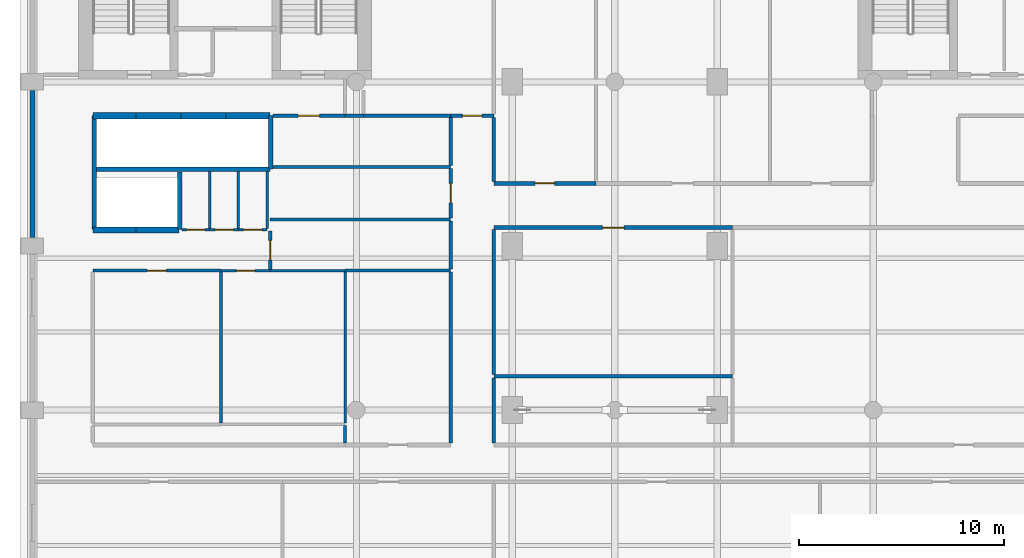
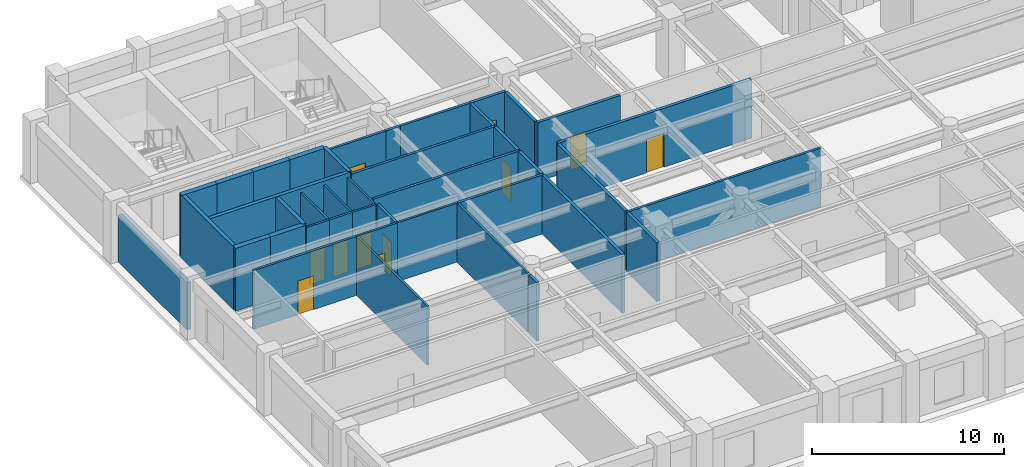
# One storey, part 5 of 10: 41 walls, 11 doors, 11 openings.
"""IFC4 building model written with IfcOpenShell, lengths in metres."""

import ifcopenshell
import ifcopenshell.guid

model = None  # the IFC model being written
_history = None  # IfcOwnerHistory: only IFC2X3 demands one
_inside = {}  # id of a spatial element -> (the spatial element, [elements in it])
_under = {}  # id of a project, library or spatial element -> (it, [spatial elements below it])
_declared = {}  # id of a project -> (the project, [libraries it declares])
_typed = {}  # id of a type object -> (the type object, [elements of that type])
_made_of = {}  # id of a material, layer set ... -> (it, [elements and type objects made of it])


def new_model(schema):
    """Start an empty IFC model of exactly this schema.

    Asked for "IFC4X3", IfcOpenShell would pick the latest addendum, in which some entities
    have other attributes; the version numbers below select the first issue.
    IFC2X3 requires an IfcOwnerHistory on every rooted entity: one is made here for all.
    """
    global model, _history
    if schema == "IFC4X3":
        model = ifcopenshell.file(schema_version=(4, 3, 0, 0))
    else:
        model = ifcopenshell.file(schema=schema)
    _inside.clear()
    _under.clear()
    _declared.clear()
    _typed.clear()
    _made_of.clear()
    _history = None
    if model.schema == "IFC2X3":
        org = make("IfcOrganization", Name="unknown")
        user = make(
            "IfcPersonAndOrganization",
            ThePerson=make("IfcPerson", FamilyName="unknown"),
            TheOrganization=org,
        )
        app = make(
            "IfcApplication",
            ApplicationDeveloper=org,
            Version="unknown",
            ApplicationFullName="unknown",
            ApplicationIdentifier="unknown",
        )
        _history = make(
            "IfcOwnerHistory",
            OwningUser=user,
            OwningApplication=app,
            ChangeAction="ADDED",
            CreationDate=0,
        )
    return model


def make(cls, **values):
    """One entity of the class cls with the attributes given. An attribute that is None is left unset."""
    return model.create_entity(
        cls, **{name: value for name, value in values.items() if value is not None}
    )


def rooted(cls, **values):
    """An entity with a GlobalId (a new one), such as an element, a storey or a relation."""
    return make(cls, GlobalId=ifcopenshell.guid.new(), OwnerHistory=_history, **values)


def si_unit(unit_type, name, prefix=None):
    """IfcSIUnit, for example si_unit("LENGTHUNIT", "METRE", prefix="MILLI")."""
    return make("IfcSIUnit", UnitType=unit_type, Prefix=prefix, Name=name)


def assignment(units):
    """IfcUnitAssignment: the units of a project."""
    return None if units is None else make("IfcUnitAssignment", Units=units)


def point(xyz):
    """IfcCartesianPoint."""
    return None if xyz is None else make("IfcCartesianPoint", Coordinates=xyz)


def direction(xyz):
    """IfcDirection."""
    return None if xyz is None else make("IfcDirection", DirectionRatios=xyz)


def frame(location, z_axis=None, x_axis=None):
    """IfcAxis2Placement3D, a coordinate frame: its origin and axes. An axis left out is left unset."""
    return make(
        "IfcAxis2Placement3D",
        Location=point(location),
        Axis=direction(z_axis),
        RefDirection=direction(x_axis),
    )


def frame_2d(location, x_axis=None):
    """IfcAxis2Placement2D, a coordinate frame in the plane: its origin and x axis."""
    return make(
        "IfcAxis2Placement2D", Location=point(location), RefDirection=direction(x_axis)
    )


def origin():
    """The frame at (0, 0, 0) with its axes left unset."""
    return frame((0.0, 0.0, 0.0))


def place(relative_to, where):
    """IfcLocalPlacement: puts the frame where relative to a parent placement (None: the world)."""
    return make(
        "IfcLocalPlacement", PlacementRelTo=relative_to, RelativePlacement=where
    )


def context(
    kind, dimensions, precision=None, world=None, true_north=None, identifier=None
):
    """IfcGeometricRepresentationContext, for example the 3D "Model" context."""
    return make(
        "IfcGeometricRepresentationContext",
        ContextIdentifier=identifier,
        ContextType=kind,
        CoordinateSpaceDimension=dimensions,
        Precision=precision,
        WorldCoordinateSystem=world,
        TrueNorth=true_north,
    )


def subcontext(parent, identifier, kind, view, scale=None):
    """IfcGeometricRepresentationSubContext, for example "Body" below "Model"."""
    return make(
        "IfcGeometricRepresentationSubContext",
        ContextIdentifier=identifier,
        ContextType=kind,
        ParentContext=parent,
        TargetScale=scale,
        TargetView=view,
    )


def project(units=None, contexts=None):
    """IfcProject with its units and contexts."""
    return rooted(
        "IfcProject",
        Name="project",
        RepresentationContexts=contexts,
        UnitsInContext=assignment(units),
    )


def spatial(cls, under=None, at=None, **own):
    """A site, building, storey or space (cls), placed at a placement, below another one or the project."""
    s = rooted(cls, ObjectPlacement=at, **own)
    if under is not None:
        _under.setdefault(under.id(), (under, []))[1].append(s)
    return s


def profile(cls, at=None, kind="AREA", **sizes):
    """A parametric profile (cls). Its sizes go by their IFC names, for example OverallWidth=200.0."""
    return make(cls, ProfileType=kind, Position=at, **sizes)


def rectangle(**sizes):
    """IfcRectangleProfileDef."""
    return profile("IfcRectangleProfileDef", **sizes)


def extrude(swept, where, along, depth):
    """IfcExtrudedAreaSolid: the profile swept, set in the frame where, extruded along a direction by depth."""
    return make(
        "IfcExtrudedAreaSolid",
        SweptArea=swept,
        Position=where,
        ExtrudedDirection=direction(along),
        Depth=depth,
    )


def shape(context_of_items, identifier, shape_type, items):
    """IfcShapeRepresentation: the items that make up one representation, for example the "Body"."""
    return make(
        "IfcShapeRepresentation",
        ContextOfItems=context_of_items,
        RepresentationIdentifier=identifier,
        RepresentationType=shape_type,
        Items=items,
    )


def material(Name=None, Category=None):
    """IfcMaterial."""
    return make("IfcMaterial", Name=Name, Category=Category)


def layer(
    of_material, thickness, ventilated=None, Name=None, Category=None, Priority=None
):
    """IfcMaterialLayer: one layer of a wall or slab, of a material (None: an air gap)."""
    return make(
        "IfcMaterialLayer",
        Material=of_material,
        LayerThickness=thickness,
        IsVentilated=ventilated,
        Name=Name,
        Category=Category,
        Priority=Priority,
    )


def layer_set(layers, Name=None):
    """IfcMaterialLayerSet."""
    return make("IfcMaterialLayerSet", MaterialLayers=layers, LayerSetName=Name)


def made_of(thing, what):
    """Note that an element or type object is made of a material, layer set ...; save() writes the relation."""
    if what is not None:
        _made_of.setdefault(what.id(), (what, []))[1].append(thing)
    return thing


def type_object(cls, material=None, **own):
    """A type object (cls), such as IfcWallType, which elements share."""
    return made_of(rooted(cls, **own), material)


def element(
    cls,
    number,
    at=None,
    inside=None,
    cuts=None,
    type_object=None,
    material=None,
    context=None,
    identifier="Body",
    shape_type=None,
    held_by="IfcProductDefinitionShape",
    body=None,
    shapes=None,
    **own,
):
    """One element of the class cls, such as IfcWall. Its Tag is "e" and its number.

    at: its placement. inside: the storey or other place that contains it. cuts: it is an
    opening in that element (IfcRelVoidsElement). A single representation is given by context,
    identifier, shape_type and body (its items); several are given by shapes. held_by: the class
    of the entity that holds the representations. save() writes the other relations.
    """
    e = rooted(cls, Tag="e%d" % number, ObjectPlacement=at, **own)
    if body is not None:
        shapes = [shape(context, identifier, shape_type, body)]
    if shapes is not None:
        e.Representation = make(held_by, Representations=shapes)
    if inside is not None:
        _inside.setdefault(inside.id(), (inside, []))[1].append(e)
    if cuts is not None:
        rooted(
            "IfcRelVoidsElement", RelatingBuildingElement=cuts, RelatedOpeningElement=e
        )
    if type_object is not None:
        _typed.setdefault(type_object.id(), (type_object, []))[1].append(e)
    return made_of(e, material)


def fill(opening, filler):
    """IfcRelFillsElement: the door or window that sits in an opening."""
    return rooted(
        "IfcRelFillsElement",
        RelatingOpeningElement=opening,
        RelatedBuildingElement=filler,
    )


def aggregate(whole, parts):
    """IfcRelAggregates: a whole, such as a stair, and the parts it consists of."""
    return rooted("IfcRelAggregates", RelatingObject=whole, RelatedObjects=parts)


def save(model, path):
    """Write the relations noted so far, then the file.

    IfcRelAggregates (storeys below a building ...), IfcRelContainedInSpatialStructure (elements
    in a storey), IfcRelDefinesByType, IfcRelAssociatesMaterial and IfcRelDeclares: one each for
    every whole, place, type object, material and project.
    """
    for whole, parts in _under.values():
        aggregate(whole, parts)
    for where, things in _inside.values():
        rooted(
            "IfcRelContainedInSpatialStructure",
            RelatedElements=things,
            RelatingStructure=where,
        )
    for kind, things in _typed.values():
        rooted("IfcRelDefinesByType", RelatedObjects=things, RelatingType=kind)
    for what, things in _made_of.values():
        rooted("IfcRelAssociatesMaterial", RelatedObjects=things, RelatingMaterial=what)
    for by, libraries in _declared.values():
        rooted("IfcRelDeclares", RelatingContext=by, RelatedDefinitions=libraries)
    model.write(path)


model = new_model("IFC4")

# Units and contexts
model_context = context("Model", 3, precision=1e-05, world=origin(), true_north=direction((0.0, 1.0)))
body_context = subcontext(model_context, "Body", "Model", "MODEL_VIEW")
ifc_project = project(units=[si_unit("LENGTHUNIT", "METRE"), si_unit("AREAUNIT", "SQUARE_METRE"), si_unit("VOLUMEUNIT", "CUBIC_METRE"), si_unit("PLANEANGLEUNIT", "RADIAN"), si_unit("MASSUNIT", "GRAM", prefix="KILO")], contexts=[model_context])

# Site, building, storey
site_placement = place(None, origin())
site = spatial("IfcSite", under=ifc_project, at=site_placement, CompositionType="ELEMENT")
building_placement = place(site_placement, origin())
building = spatial("IfcBuilding", under=site, at=building_placement, Name="Sulina Concourse Tower", CompositionType="ELEMENT")
storey_placement = place(building_placement, frame((0.0, 0.0, 214.60009765625)))
storey = spatial("IfcBuildingStorey", under=building, at=storey_placement, Name="L52", CompositionType="ELEMENT", Elevation=214.60009765625)

# Walls
ifc_material_1 = material(Name="Concrete C50/60", Category="concrete")
ifc_layer_1 = layer(ifc_material_1, 0.219970703125)
ifc_layer_set_1 = layer_set([ifc_layer_1], Name="Concrete C50/60")
wall_type_1 = type_object("IfcWallType", Name="Core Lift Hoistway Divider Wall 220mm", PredefinedType="SOLIDWALL", material=ifc_layer_set_1)
wall_1_placement = place(storey_placement, frame((3.550048828125, 29.75, 0.0), z_axis=(0.0, 0.0, 1.0), x_axis=(1.0, 0.0, 0.0)))
element("IfcWall", 1, at=wall_1_placement, inside=storey, type_object=wall_type_1, Name="L52 shaft divider wall HW-LP3-S", PredefinedType="SOLIDWALL", context=body_context, shape_type="SweptSolid", body=[
    extrude(rectangle(XDim=8.64990234375, YDim=0.219970703125, at=frame_2d((4.324951171875, 0.0))), origin(), (0.0, 0.0, 1.0), 4.0),
])
wall_2_placement = place(storey_placement, frame((3.6298828125, 26.800048828125, 0.0), z_axis=(0.0, 0.0, 1.0), x_axis=(0.0, 1.0, 0.0)))
element("IfcWall", 2, at=wall_2_placement, inside=storey, type_object=wall_type_1, Name="L52 shaft divider wall HW-LP3-W", PredefinedType="SOLIDWALL", context=body_context, shape_type="SweptSolid", body=[
    extrude(rectangle(XDim=5.550048828125, YDim=0.219970703125, at=frame_2d((2.77490234375, 0.0))), origin(), (0.0, 0.0, 1.0), 4.0),
])
wall_3_placement = place(storey_placement, frame((7.780029296875, 26.800048828125, 0.0), z_axis=(0.0, 0.0, 1.0), x_axis=(0.0, 1.0, 0.0)))
element("IfcWall", 3, at=wall_3_placement, inside=storey, type_object=wall_type_1, Name="L52 shaft divider wall HW-EXP-E", PredefinedType="SOLIDWALL", context=body_context, shape_type="SweptSolid", body=[
    extrude(rectangle(XDim=2.800048828125, YDim=0.219970703125, at=frame_2d((1.39990234375, 0.0))), origin(), (0.0, 0.0, 1.0), 4.0),
])
wall_4_placement = place(storey_placement, frame((12.219970703125, 29.75, 0.0), z_axis=(0.0, 0.0, 1.0), x_axis=(0.0, 1.0, 0.0)))
element("IfcWall", 4, at=wall_4_placement, inside=storey, type_object=wall_type_1, Name="L52 shaft divider wall HW-LP3-E", PredefinedType="SOLIDWALL", context=body_context, shape_type="SweptSolid", body=[
    extrude(rectangle(XDim=2.60009765625, YDim=0.219970703125, at=frame_2d((1.300048828125, 0.0))), origin(), (0.0, 0.0, 1.0), 4.0),
])
ifc_material_2 = material(Name="Concrete C50/60", Category="concrete")
ifc_layer_2 = layer(ifc_material_2, 0.300048828125)
ifc_layer_set_2 = layer_set([ifc_layer_2], Name="Concrete C50/60")
wall_type_2 = type_object("IfcWallType", Name="Core Lift Hoistway Wall 300mm", PredefinedType="SOLIDWALL", material=ifc_layer_set_2)
wall_5_placement = place(storey_placement, frame((3.550048828125, 32.35009765625, 0.0), z_axis=(0.0, 0.0, 1.0), x_axis=(1.0, 0.0, 0.0)))
element("IfcWall", 5, at=wall_5_placement, inside=storey, type_object=wall_type_2, Name="L52 hoistway enclosure wall LP-09", PredefinedType="SOLIDWALL", context=body_context, shape_type="SweptSolid", body=[
    extrude(rectangle(XDim=2.099853515625, YDim=0.300048828125, at=frame_2d((1.0498046875, 0.0))), origin(), (0.0, 0.0, 1.0), 4.0),
])
wall_6_placement = place(storey_placement, frame((5.64990234375, 32.35009765625, 0.0), z_axis=(0.0, 0.0, 1.0), x_axis=(1.0, 0.0, 0.0)))
element("IfcWall", 6, at=wall_6_placement, inside=storey, type_object=wall_type_2, Name="L52 hoistway enclosure wall LP-10", PredefinedType="SOLIDWALL", context=body_context, shape_type="SweptSolid", body=[
    extrude(rectangle(XDim=2.2001953125, YDim=0.300048828125, at=frame_2d((1.10009765625, 0.0))), origin(), (0.0, 0.0, 1.0), 4.0),
])
wall_7_placement = place(storey_placement, frame((7.85009765625, 32.35009765625, 0.0), z_axis=(0.0, 0.0, 1.0), x_axis=(1.0, 0.0, 0.0)))
element("IfcWall", 7, at=wall_7_placement, inside=storey, type_object=wall_type_2, Name="L52 hoistway enclosure wall LP-11", PredefinedType="SOLIDWALL", context=body_context, shape_type="SweptSolid", body=[
    extrude(rectangle(XDim=2.199951171875, YDim=0.300048828125, at=frame_2d((1.10009765625, 0.0))), origin(), (0.0, 0.0, 1.0), 4.0),
])
wall_8_placement = place(storey_placement, frame((10.050048828125, 32.35009765625, 0.0), z_axis=(0.0, 0.0, 1.0), x_axis=(1.0, 0.0, 0.0)))
element("IfcWall", 8, at=wall_8_placement, inside=storey, type_object=wall_type_2, Name="L52 hoistway enclosure wall LP-12", PredefinedType="SOLIDWALL", context=body_context, shape_type="SweptSolid", body=[
    extrude(rectangle(XDim=2.14990234375, YDim=0.300048828125, at=frame_2d((1.074951171875, 0.0))), origin(), (0.0, 0.0, 1.0), 4.0),
])
wall_9_placement = place(storey_placement, frame((5.64990234375, 26.780029296875, 0.0), z_axis=(0.0, 0.0, 1.0), x_axis=(-1.0, 0.0, 0.0)))
element("IfcWall", 9, at=wall_9_placement, inside=storey, type_object=wall_type_2, Name="L52 hoistway enclosure wall EXP-1", PredefinedType="SOLIDWALL", context=body_context, shape_type="SweptSolid", body=[
    extrude(rectangle(XDim=2.099853515625, YDim=0.300048828125, at=frame_2d((1.0498046875, 0.0))), origin(), (0.0, 0.0, 1.0), 4.0),
])
wall_10_placement = place(storey_placement, frame((7.75, 26.780029296875, 0.0), z_axis=(0.0, 0.0, 1.0), x_axis=(-1.0, 0.0, 0.0)))
element("IfcWall", 10, at=wall_10_placement, inside=storey, type_object=wall_type_2, Name="L52 hoistway enclosure wall EXP-2", PredefinedType="SOLIDWALL", context=body_context, shape_type="SweptSolid", body=[
    extrude(rectangle(XDim=2.10009765625, YDim=0.300048828125, at=frame_2d((1.050048828125, 0.0))), origin(), (0.0, 0.0, 1.0), 4.0),
])
ifc_material_3 = material(Name="Precast concrete C50/60", Category="concrete")
ifc_layer_3 = layer(ifc_material_3, 0.239990234375)
ifc_layer_set_3 = layer_set([ifc_layer_3], Name="Precast concrete C50/60")
wall_type_3 = type_object("IfcWallType", Name="Crown Precast Masonry-Frame Facade Wall 240mm", PredefinedType="SOLIDWALL", material=ifc_layer_set_3)
wall_11_placement = place(storey_placement, frame((0.60009765625, 26.419921875, 0.0), z_axis=(0.0, 0.0, 1.0), x_axis=(0.0, 1.0, 0.0)))
element("IfcWall", 11, at=wall_11_placement, inside=storey, type_object=wall_type_3, Name="L52 exterior precast wall W4", PredefinedType="SOLIDWALL", context=body_context, shape_type="SweptSolid", body=[
    extrude(rectangle(XDim=7.16015625, YDim=0.239990234375, at=frame_2d((3.580078125, 0.0))), origin(), (0.0, 0.0, 1.0), 3.0),
])
ifc_material_4 = material(Name="Gypsum board on steel stud", Category="steel")
ifc_layer_4 = layer(ifc_material_4, 0.14990234375)
ifc_layer_set_4 = layer_set([ifc_layer_4], Name="Gypsum board on steel stud")
wall_type_4 = type_object("IfcWallType", Name="Inter-Tenancy Acoustic Partition 150mm", PredefinedType="PARTITIONING", material=ifc_layer_set_4)
wall_12_placement = place(storey_placement, frame((23.10009765625, 19.64990234375, 0.0), z_axis=(0.0, 0.0, 1.0), x_axis=(1.0, 0.0, 0.0)))
element("IfcWall", 12, at=wall_12_placement, inside=storey, type_object=wall_type_4, Name="L52 interior partition 012", PredefinedType="PARTITIONING", context=body_context, shape_type="SweptSolid", body=[
    extrude(rectangle(XDim=11.64990234375, YDim=0.14990234375, at=frame_2d((5.824951171875, 0.0))), origin(), (0.0, 0.0, 1.0), 3.75),
])

# Wall, opening, door
wall_13_placement = place(storey_placement, frame((3.550048828125, 24.800048828125, 0.0), z_axis=(0.0, 0.0, 1.0), x_axis=(1.0, 0.0, 0.0)))
wall_13 = element("IfcWall", 13, at=wall_13_placement, inside=storey, type_object=wall_type_4, Name="L52 interior partition 013", PredefinedType="PARTITIONING", context=body_context, shape_type="SweptSolid", body=[
    extrude(rectangle(XDim=6.25, YDim=0.14990234375, at=frame_2d((3.125, 0.0))), origin(), (0.0, 0.0, 1.0), 3.75),
])
opening_1_placement = place(wall_13_placement, frame((2.64990234375, 0.0, 0.0)))
opening_1 = element("IfcOpeningElement", 14, at=opening_1_placement, cuts=wall_13, Name="Opening DR-19", PredefinedType="OPENING", context=body_context, shape_type="SweptSolid", body=[
    extrude(rectangle(XDim=0.949951171875, YDim=2.14990234375, at=frame_2d((0.47509765625, 1.074951171875))), frame((0.0, 0.0849609375, 0.0), z_axis=(0.0, -1.0, 0.0), x_axis=(1.0, 0.0, 0.0)), (0.0, 0.0, 1.0), 0.169921875),
])
ifc_material_5 = material(Name="Oak-veneered acoustic timber leaf", Category="wood")
ifc_layer_5 = layer(ifc_material_5, 0.050048828125)
ifc_layer_set_5 = layer_set([ifc_layer_5], Name="Oak-veneered acoustic timber leaf")
door_type_1 = type_object("IfcDoorType", Name="Cellular Office & Meeting Door 950x2150", OperationType="NOTDEFINED", PredefinedType="DOOR", material=ifc_layer_set_5)
door_1_placement = place(opening_1_placement, origin())
door_1 = element("IfcDoor", 15, at=door_1_placement, inside=storey, type_object=door_type_1, Name="L52 interior door L52-LR-MRG1", OperationType="SINGLE_SWING_RIGHT", OverallHeight=2.14990234375, OverallWidth=0.949951171875, PredefinedType="DOOR", context=body_context, shape_type="SweptSolid", body=[
    extrude(rectangle(XDim=0.949951171875, YDim=2.14990234375, at=frame_2d((0.47509765625, 1.074951171875))), frame((0.0, 0.02490234375, 0.0), z_axis=(0.0, -1.0, 0.0), x_axis=(1.0, 0.0, 0.0)), (0.0, 0.0, 1.0), 0.050048828125),
])
fill(opening_1, door_1)

# Walls
wall_14_placement = place(storey_placement, frame((15.85009765625, 24.800048828125, 0.0), z_axis=(0.0, 0.0, 1.0), x_axis=(1.0, 0.0, 0.0)))
element("IfcWall", 16, at=wall_14_placement, inside=storey, type_object=wall_type_4, Name="L52 interior partition 016", PredefinedType="PARTITIONING", context=body_context, shape_type="SweptSolid", body=[
    extrude(rectangle(XDim=5.14990234375, YDim=0.14990234375, at=frame_2d((2.574951171875, 0.0))), origin(), (0.0, 0.0, 1.0), 3.75),
])
wall_15_placement = place(storey_placement, frame((12.199951171875, 27.300048828125, 0.0), z_axis=(0.0, 0.0, 1.0), x_axis=(1.0, 0.0, 0.0)))
element("IfcWall", 17, at=wall_15_placement, inside=storey, type_object=wall_type_4, Name="L52 interior partition 022", PredefinedType="PARTITIONING", context=body_context, shape_type="SweptSolid", body=[
    extrude(rectangle(XDim=8.800048828125, YDim=0.14990234375, at=frame_2d((4.39990234375, 0.0))), origin(), (0.0, 0.0, 1.0), 3.75),
])
wall_16_placement = place(storey_placement, frame((12.330078125, 29.85009765625, 0.0), z_axis=(0.0, 0.0, 1.0), x_axis=(1.0, 0.0, 0.0)))
element("IfcWall", 18, at=wall_16_placement, inside=storey, type_object=wall_type_4, Name="L52 interior partition 027", PredefinedType="PARTITIONING", context=body_context, shape_type="SweptSolid", body=[
    extrude(rectangle(XDim=8.669921875, YDim=0.14990234375, at=frame_2d((4.3349609375, 0.0))), origin(), (0.0, 0.0, 1.0), 3.75),
])

# Wall, opening, door
wall_17_placement = place(storey_placement, frame((12.330078125, 32.35009765625, 0.0), z_axis=(0.0, 0.0, 1.0), x_axis=(1.0, 0.0, 0.0)))
wall_17 = element("IfcWall", 19, at=wall_17_placement, inside=storey, type_object=wall_type_4, Name="L52 interior partition 028", PredefinedType="PARTITIONING", context=body_context, shape_type="SweptSolid", body=[
    extrude(rectangle(XDim=3.52001953125, YDim=0.14990234375, at=frame_2d((1.760009765625, 0.0))), origin(), (0.0, 0.0, 1.0), 3.75),
])
opening_2_placement = place(wall_17_placement, frame((1.235107421875, 0.0, 0.0)))
opening_2 = element("IfcOpeningElement", 20, at=opening_2_placement, cuts=wall_17, Name="Opening DR-37", PredefinedType="OPENING", context=body_context, shape_type="SweptSolid", body=[
    extrude(rectangle(XDim=1.050048828125, YDim=2.14990234375, at=frame_2d((0.52490234375, 1.074951171875))), frame((0.0, 0.0849609375, 0.0), z_axis=(0.0, -1.0, 0.0), x_axis=(1.0, 0.0, 0.0)), (0.0, 0.0, 1.0), 0.169921875),
])
ifc_material_6 = material(Name="Oak-veneered fire door leaf")
ifc_layer_6 = layer(ifc_material_6, 0.050048828125)
ifc_layer_set_6 = layer_set([ifc_layer_6], Name="Oak-veneered fire door leaf")
door_type_2 = type_object("IfcDoorType", Name="Tenant Suite Entrance Fire Door 1050x2150", OperationType="NOTDEFINED", PredefinedType="DOOR", material=ifc_layer_set_6)
door_2_placement = place(opening_2_placement, origin())
door_2 = element("IfcDoor", 21, at=door_2_placement, inside=storey, type_object=door_type_2, Name="L52 interior door L52-MR-MRG3", OperationType="SINGLE_SWING_RIGHT", OverallHeight=2.14990234375, OverallWidth=1.050048828125, PredefinedType="DOOR", context=body_context, shape_type="SweptSolid", body=[
    extrude(rectangle(XDim=1.050048828125, YDim=2.14990234375, at=frame_2d((0.52490234375, 1.074951171875))), frame((0.0, 0.02490234375, 0.0), z_axis=(0.0, -1.0, 0.0), x_axis=(1.0, 0.0, 0.0)), (0.0, 0.0, 1.0), 0.050048828125),
])
fill(opening_2, door_2)

# Walls
wall_18_placement = place(storey_placement, frame((15.85009765625, 32.35009765625, 0.0), z_axis=(0.0, 0.0, 1.0), x_axis=(1.0, 0.0, 0.0)))
element("IfcWall", 22, at=wall_18_placement, inside=storey, type_object=wall_type_4, Name="L52 interior partition 029", PredefinedType="PARTITIONING", context=body_context, shape_type="SweptSolid", body=[
    extrude(rectangle(XDim=0.89990234375, YDim=0.14990234375, at=frame_2d((0.449951171875, 0.0))), origin(), (0.0, 0.0, 1.0), 3.75),
])
wall_19_placement = place(storey_placement, frame((16.75, 32.35009765625, 0.0), z_axis=(0.0, 0.0, 1.0), x_axis=(1.0, 0.0, 0.0)))
element("IfcWall", 23, at=wall_19_placement, inside=storey, type_object=wall_type_4, Name="L52 interior partition 030", PredefinedType="PARTITIONING", context=body_context, shape_type="SweptSolid", body=[
    extrude(rectangle(XDim=4.25, YDim=0.14990234375, at=frame_2d((2.125, 0.0))), origin(), (0.0, 0.0, 1.0), 3.75),
])

# Wall, opening, door
wall_20_placement = place(storey_placement, frame((12.199951171875, 24.862548828125, 0.0), z_axis=(0.0, 0.0, 1.0), x_axis=(0.0, 1.0, 0.0)))
wall_20 = element("IfcWall", 24, at=wall_20_placement, inside=storey, type_object=wall_type_4, Name="L52 interior partition 045", PredefinedType="PARTITIONING", context=body_context, shape_type="SweptSolid", body=[
    extrude(rectangle(XDim=1.875, YDim=0.14990234375, at=frame_2d((0.9375, 0.0))), origin(), (0.0, 0.0, 1.0), 3.75),
])
opening_3_placement = place(wall_20_placement, frame((0.46240234375, 0.0, 0.0)))
opening_3 = element("IfcOpeningElement", 25, at=opening_3_placement, cuts=wall_20, Name="Opening DR-19", PredefinedType="OPENING", context=body_context, shape_type="SweptSolid", body=[
    extrude(rectangle(XDim=0.949951171875, YDim=2.14990234375, at=frame_2d((0.47509765625, 1.074951171875))), frame((0.0, 0.0849609375, 0.0), z_axis=(0.0, -1.0, 0.0), x_axis=(1.0, 0.0, 0.0)), (0.0, 0.0, 1.0), 0.169921875),
])
door_3_placement = place(opening_3_placement, origin())
door_3 = element("IfcDoor", 26, at=door_3_placement, inside=storey, type_object=door_type_1, Name="L52 interior door L52-MR-MRG1", OperationType="SINGLE_SWING_LEFT", OverallHeight=2.14990234375, OverallWidth=0.949951171875, PredefinedType="DOOR", context=body_context, shape_type="SweptSolid", body=[
    extrude(rectangle(XDim=0.949951171875, YDim=2.14990234375, at=frame_2d((0.47509765625, 1.074951171875))), frame((0.0, 0.02490234375, 0.0), z_axis=(0.0, -1.0, 0.0), x_axis=(1.0, 0.0, 0.0)), (0.0, 0.0, 1.0), 0.050048828125),
])
fill(opening_3, door_3)

# Wall
wall_21_placement = place(storey_placement, frame((15.85009765625, 16.389892578125, 0.0), z_axis=(0.0, 0.0, 1.0), x_axis=(0.0, 1.0, 0.0)))
element("IfcWall", 27, at=wall_21_placement, inside=storey, type_object=wall_type_4, Name="L52 interior partition 047", PredefinedType="PARTITIONING", context=body_context, shape_type="SweptSolid", body=[
    extrude(rectangle(XDim=0.84765625, YDim=0.14990234375, at=frame_2d((0.423828125, 0.0))), origin(), (0.0, 0.0, 1.0), 3.75),
])

# Wall, opening, door
ifc_material_7 = material(Name="Gypsum board on steel stud", Category="steel")
ifc_layer_7 = layer(ifc_material_7, 0.179931640625)
ifc_layer_set_7 = layer_set([ifc_layer_7], Name="Gypsum board on steel stud")
wall_type_5 = type_object("IfcWallType", Name="Protected Corridor & Riser Partition 180mm", PredefinedType="PARTITIONING", material=ifc_layer_set_7)
wall_22_placement = place(storey_placement, frame((23.10009765625, 26.89990234375, 0.0), z_axis=(0.0, 0.0, 1.0), x_axis=(1.0, 0.0, 0.0)))
wall_22 = element("IfcWall", 28, at=wall_22_placement, inside=storey, type_object=wall_type_5, Name="L52 interior partition 020", PredefinedType="PARTITIONING", context=body_context, shape_type="SweptSolid", body=[
    extrude(rectangle(XDim=11.64990234375, YDim=0.179931640625, at=frame_2d((5.824951171875, 0.0))), origin(), (0.0, 0.0, 1.0), 3.75),
])
opening_4_placement = place(wall_22_placement, frame((5.300048828125, 0.0, 0.0)))
opening_4 = element("IfcOpeningElement", 29, at=opening_4_placement, cuts=wall_22, Name="Opening DR-37", PredefinedType="OPENING", context=body_context, shape_type="SweptSolid", body=[
    extrude(rectangle(XDim=1.050048828125, YDim=2.14990234375, at=frame_2d((0.52490234375, 1.074951171875))), frame((0.0, 0.099853515625, 0.0), z_axis=(0.0, -1.0, 0.0), x_axis=(1.0, 0.0, 0.0)), (0.0, 0.0, 1.0), 0.199951171875),
])
door_4_placement = place(opening_4_placement, origin())
door_4 = element("IfcDoor", 30, at=door_4_placement, inside=storey, type_object=door_type_2, Name="L52 interior door L52-UBT-NRM", OperationType="SINGLE_SWING_LEFT", OverallHeight=2.14990234375, OverallWidth=1.050048828125, PredefinedType="DOOR", context=body_context, shape_type="SweptSolid", body=[
    extrude(rectangle(XDim=1.050048828125, YDim=2.14990234375, at=frame_2d((0.52490234375, 1.074951171875))), frame((0.0, 0.02490234375, 0.0), z_axis=(0.0, -1.0, 0.0), x_axis=(1.0, 0.0, 0.0)), (0.0, 0.0, 1.0), 0.050048828125),
])
fill(opening_4, door_4)

wall_23_placement = place(storey_placement, frame((23.10009765625, 29.050048828125, 0.0), z_axis=(0.0, 0.0, 1.0), x_axis=(1.0, 0.0, 0.0)))
wall_23 = element("IfcWall", 31, at=wall_23_placement, inside=storey, type_object=wall_type_5, Name="L52 interior partition 023", PredefinedType="PARTITIONING", context=body_context, shape_type="SweptSolid", body=[
    extrude(rectangle(XDim=4.989990234375, YDim=0.179931640625, at=frame_2d((2.4951171875, 0.0))), origin(), (0.0, 0.0, 1.0), 3.75),
])
opening_5_placement = place(wall_23_placement, frame((2.02001953125, 0.0, 0.0)))
opening_5 = element("IfcOpeningElement", 32, at=opening_5_placement, cuts=wall_23, Name="Opening DR-19", PredefinedType="OPENING", context=body_context, shape_type="SweptSolid", body=[
    extrude(rectangle(XDim=0.949951171875, YDim=2.14990234375, at=frame_2d((0.47509765625, 1.074951171875))), frame((0.0, 0.099853515625, 0.0), z_axis=(0.0, -1.0, 0.0), x_axis=(1.0, 0.0, 0.0)), (0.0, 0.0, 1.0), 0.199951171875),
])
door_5_placement = place(opening_5_placement, origin())
door_5 = element("IfcDoor", 33, at=door_5_placement, inside=storey, type_object=door_type_1, Name="L52 interior door L52-NC1", OperationType="SINGLE_SWING_RIGHT", OverallHeight=2.14990234375, OverallWidth=0.949951171875, PredefinedType="DOOR", context=body_context, shape_type="SweptSolid", body=[
    extrude(rectangle(XDim=0.949951171875, YDim=2.14990234375, at=frame_2d((0.47509765625, 1.074951171875))), frame((0.0, 0.02490234375, 0.0), z_axis=(0.0, -1.0, 0.0), x_axis=(1.0, 0.0, 0.0)), (0.0, 0.0, 1.0), 0.050048828125),
])
fill(opening_5, door_5)

wall_24_placement = place(storey_placement, frame((21.0, 32.35009765625, 0.0), z_axis=(0.0, 0.0, 1.0), x_axis=(1.0, 0.0, 0.0)))
wall_24 = element("IfcWall", 34, at=wall_24_placement, inside=storey, type_object=wall_type_5, Name="L52 interior partition 031", PredefinedType="PARTITIONING", context=body_context, shape_type="SweptSolid", body=[
    extrude(rectangle(XDim=2.10009765625, YDim=0.179931640625, at=frame_2d((1.050048828125, 0.0))), origin(), (0.0, 0.0, 1.0), 3.75),
])
opening_6_placement = place(wall_24_placement, frame((0.574951171875, 0.0, 0.0)))
opening_6 = element("IfcOpeningElement", 35, at=opening_6_placement, cuts=wall_24, Name="Opening DR-19", PredefinedType="OPENING", context=body_context, shape_type="SweptSolid", body=[
    extrude(rectangle(XDim=0.949951171875, YDim=2.14990234375, at=frame_2d((0.47509765625, 1.074951171875))), frame((0.0, 0.099853515625, 0.0), z_axis=(0.0, -1.0, 0.0), x_axis=(1.0, 0.0, 0.0)), (0.0, 0.0, 1.0), 0.199951171875),
])
door_6_placement = place(opening_6_placement, origin())
door_6 = element("IfcDoor", 36, at=door_6_placement, inside=storey, type_object=door_type_1, Name="L52 interior door L52-NC-NW", OperationType="SINGLE_SWING_LEFT", OverallHeight=2.14990234375, OverallWidth=0.949951171875, PredefinedType="DOOR", context=body_context, shape_type="SweptSolid", body=[
    extrude(rectangle(XDim=0.949951171875, YDim=2.14990234375, at=frame_2d((0.47509765625, 1.074951171875))), frame((0.0, 0.02490234375, 0.0), z_axis=(0.0, -1.0, 0.0), x_axis=(1.0, 0.0, 0.0)), (0.0, 0.0, 1.0), 0.050048828125),
])
fill(opening_6, door_6)

# Walls
wall_25_placement = place(storey_placement, frame((21.0, 16.389892578125, 0.0), z_axis=(0.0, 0.0, 1.0), x_axis=(0.0, 1.0, 0.0)))
element("IfcWall", 37, at=wall_25_placement, inside=storey, type_object=wall_type_5, Name="L52 interior partition 051", PredefinedType="PARTITIONING", context=body_context, shape_type="SweptSolid", body=[
    extrude(rectangle(XDim=8.335205078125, YDim=0.179931640625, at=frame_2d((4.16748046875, 0.0))), origin(), (0.0, 0.0, 1.0), 3.75),
])
wall_26_placement = place(storey_placement, frame((21.0, 24.875, 0.0), z_axis=(0.0, 0.0, 1.0), x_axis=(0.0, 1.0, 0.0)))
element("IfcWall", 38, at=wall_26_placement, inside=storey, type_object=wall_type_5, Name="L52 interior partition 052", PredefinedType="PARTITIONING", context=body_context, shape_type="SweptSolid", body=[
    extrude(rectangle(XDim=2.35009765625, YDim=0.179931640625, at=frame_2d((1.175048828125, 0.0))), origin(), (0.0, 0.0, 1.0), 3.75),
])

# Wall, opening, door
wall_27_placement = place(storey_placement, frame((21.0, 27.375, 0.0), z_axis=(0.0, 0.0, 1.0), x_axis=(0.0, 1.0, 0.0)))
wall_27 = element("IfcWall", 39, at=wall_27_placement, inside=storey, type_object=wall_type_5, Name="L52 interior partition 053", PredefinedType="PARTITIONING", context=body_context, shape_type="SweptSolid", body=[
    extrude(rectangle(XDim=2.39990234375, YDim=0.179931640625, at=frame_2d((1.199951171875, 0.0))), origin(), (0.0, 0.0, 1.0), 3.75),
])
opening_7_placement = place(wall_27_placement, frame((0.72509765625, 0.0, 0.0)))
opening_7 = element("IfcOpeningElement", 40, at=opening_7_placement, cuts=wall_27, Name="Opening DR-19", PredefinedType="OPENING", context=body_context, shape_type="SweptSolid", body=[
    extrude(rectangle(XDim=0.949951171875, YDim=2.14990234375, at=frame_2d((0.47509765625, 1.074951171875))), frame((0.0, 0.099853515625, 0.0), z_axis=(0.0, -1.0, 0.0), x_axis=(1.0, 0.0, 0.0)), (0.0, 0.0, 1.0), 0.199951171875),
])
door_7_placement = place(opening_7_placement, origin())
door_7 = element("IfcDoor", 41, at=door_7_placement, inside=storey, type_object=door_type_1, Name="L52 interior door L52-MR-MRG2", OperationType="SINGLE_SWING_RIGHT", OverallHeight=2.14990234375, OverallWidth=0.949951171875, PredefinedType="DOOR", context=body_context, shape_type="SweptSolid", body=[
    extrude(rectangle(XDim=0.949951171875, YDim=2.14990234375, at=frame_2d((0.47509765625, 1.074951171875))), frame((0.0, 0.02490234375, 0.0), z_axis=(0.0, -1.0, 0.0), x_axis=(1.0, 0.0, 0.0)), (0.0, 0.0, 1.0), 0.050048828125),
])
fill(opening_7, door_7)

# Walls
wall_28_placement = place(storey_placement, frame((21.0, 29.925048828125, 0.0), z_axis=(0.0, 0.0, 1.0), x_axis=(0.0, 1.0, 0.0)))
element("IfcWall", 42, at=wall_28_placement, inside=storey, type_object=wall_type_5, Name="L52 interior partition 054", PredefinedType="PARTITIONING", context=body_context, shape_type="SweptSolid", body=[
    extrude(rectangle(XDim=2.3349609375, YDim=0.179931640625, at=frame_2d((1.16748046875, 0.0))), origin(), (0.0, 0.0, 1.0), 3.75),
])
wall_29_placement = place(storey_placement, frame((23.10009765625, 16.389892578125, 0.0), z_axis=(0.0, 0.0, 1.0), x_axis=(0.0, 1.0, 0.0)))
element("IfcWall", 43, at=wall_29_placement, inside=storey, type_object=wall_type_5, Name="L52 interior partition 056", PredefinedType="PARTITIONING", context=body_context, shape_type="SweptSolid", body=[
    extrude(rectangle(XDim=3.18505859375, YDim=0.179931640625, at=frame_2d((1.592529296875, 0.0))), origin(), (0.0, 0.0, 1.0), 3.75),
])
wall_30_placement = place(storey_placement, frame((23.10009765625, 19.72509765625, 0.0), z_axis=(0.0, 0.0, 1.0), x_axis=(0.0, 1.0, 0.0)))
element("IfcWall", 44, at=wall_30_placement, inside=storey, type_object=wall_type_5, Name="L52 interior partition 057", PredefinedType="PARTITIONING", context=body_context, shape_type="SweptSolid", body=[
    extrude(rectangle(XDim=7.0849609375, YDim=0.179931640625, at=frame_2d((3.54248046875, 0.0))), origin(), (0.0, 0.0, 1.0), 3.75),
])
wall_31_placement = place(storey_placement, frame((23.10009765625, 29.139892578125, 0.0), z_axis=(0.0, 0.0, 1.0), x_axis=(0.0, 1.0, 0.0)))
element("IfcWall", 45, at=wall_31_placement, inside=storey, type_object=wall_type_5, Name="L52 interior partition 058", PredefinedType="PARTITIONING", context=body_context, shape_type="SweptSolid", body=[
    extrude(rectangle(XDim=3.1201171875, YDim=0.179931640625, at=frame_2d((1.56005859375, 0.0))), origin(), (0.0, 0.0, 1.0), 3.75),
])

# Wall, opening, door
ifc_material_8 = material(Name="Gypsum board on steel stud", Category="steel")
ifc_layer_8 = layer(ifc_material_8, 0.125)
ifc_layer_set_8 = layer_set([ifc_layer_8], Name="Gypsum board on steel stud")
wall_type_6 = type_object("IfcWallType", Name="Wet-Area Moisture-Resistant Partition 125mm", PredefinedType="PARTITIONING", material=ifc_layer_set_8)
wall_32_placement = place(storey_placement, frame((9.800048828125, 24.800048828125, 0.0), z_axis=(0.0, 0.0, 1.0), x_axis=(1.0, 0.0, 0.0)))
wall_32 = element("IfcWall", 46, at=wall_32_placement, inside=storey, type_object=wall_type_6, Name="L52 interior partition 014", PredefinedType="PARTITIONING", context=body_context, shape_type="SweptSolid", body=[
    extrude(rectangle(XDim=2.39990234375, YDim=0.125, at=frame_2d((1.199951171875, 0.0))), origin(), (0.0, 0.0, 1.0), 3.75),
])
opening_8_placement = place(wall_32_placement, frame((0.75, 0.0, 0.0)))
opening_8 = element("IfcOpeningElement", 47, at=opening_8_placement, cuts=wall_32, Name="Opening DR-21", PredefinedType="OPENING", context=body_context, shape_type="SweptSolid", body=[
    extrude(rectangle(XDim=0.89990234375, YDim=2.10009765625, at=frame_2d((0.449951171875, 1.050048828125))), frame((0.0, 0.072509765625, 0.0), z_axis=(0.0, -1.0, 0.0), x_axis=(1.0, 0.0, 0.0)), (0.0, 0.0, 1.0), 0.14501953125),
])
ifc_material_9 = material(Name="Oak-veneered fire door leaf")
ifc_layer_9 = layer(ifc_material_9, 0.050048828125)
ifc_layer_set_9 = layer_set([ifc_layer_9], Name="Oak-veneered fire door leaf")
door_type_3 = type_object("IfcDoorType", Name="Restroom & Service Door 900x2100", OperationType="NOTDEFINED", PredefinedType="DOOR", material=ifc_layer_set_9)
door_8_placement = place(opening_8_placement, origin())
door_8 = element("IfcDoor", 48, at=door_8_placement, inside=storey, type_object=door_type_3, Name="L52 interior door L52-LR-MRG2", OperationType="SINGLE_SWING_LEFT", OverallHeight=2.10009765625, OverallWidth=0.89990234375, PredefinedType="DOOR", context=body_context, shape_type="SweptSolid", body=[
    extrude(rectangle(XDim=0.89990234375, YDim=2.10009765625, at=frame_2d((0.449951171875, 1.050048828125))), frame((0.0, 0.02490234375, 0.0), z_axis=(0.0, -1.0, 0.0), x_axis=(1.0, 0.0, 0.0)), (0.0, 0.0, 1.0), 0.050048828125),
])
fill(opening_8, door_8)

# Wall
wall_33_placement = place(storey_placement, frame((12.199951171875, 24.800048828125, 0.0), z_axis=(0.0, 0.0, 1.0), x_axis=(1.0, 0.0, 0.0)))
element("IfcWall", 49, at=wall_33_placement, inside=storey, type_object=wall_type_6, Name="L52 interior partition 015", PredefinedType="PARTITIONING", context=body_context, shape_type="SweptSolid", body=[
    extrude(rectangle(XDim=3.650146484375, YDim=0.125, at=frame_2d((1.8251953125, 0.0))), origin(), (0.0, 0.0, 1.0), 3.75),
])

# Wall, opening, door
wall_34_placement = place(storey_placement, frame((7.889892578125, 26.800048828125, 0.0), z_axis=(0.0, 0.0, 1.0), x_axis=(1.0, 0.0, 0.0)))
wall_34 = element("IfcWall", 50, at=wall_34_placement, inside=storey, type_object=wall_type_6, Name="L52 interior partition 017", PredefinedType="PARTITIONING", context=body_context, shape_type="SweptSolid", body=[
    extrude(rectangle(XDim=1.360107421875, YDim=0.125, at=frame_2d((0.68017578125, 0.0))), origin(), (0.0, 0.0, 1.0), 3.75),
])
opening_9_placement = place(wall_34_placement, frame((0.22998046875, 0.0, 0.0)))
opening_9 = element("IfcOpeningElement", 51, at=opening_9_placement, cuts=wall_34, Name="Opening DR-21", PredefinedType="OPENING", context=body_context, shape_type="SweptSolid", body=[
    extrude(rectangle(XDim=0.89990234375, YDim=2.10009765625, at=frame_2d((0.449951171875, 1.050048828125))), frame((0.0, 0.072509765625, 0.0), z_axis=(0.0, -1.0, 0.0), x_axis=(1.0, 0.0, 0.0)), (0.0, 0.0, 1.0), 0.14501953125),
])
door_9_placement = place(opening_9_placement, origin())
door_9 = element("IfcDoor", 52, at=door_9_placement, inside=storey, type_object=door_type_3, Name="L52 interior door L52-WC-M", OperationType="SINGLE_SWING_RIGHT", OverallHeight=2.10009765625, OverallWidth=0.89990234375, PredefinedType="DOOR", context=body_context, shape_type="SweptSolid", body=[
    extrude(rectangle(XDim=0.89990234375, YDim=2.10009765625, at=frame_2d((0.449951171875, 1.050048828125))), frame((0.0, 0.02490234375, 0.0), z_axis=(0.0, -1.0, 0.0), x_axis=(1.0, 0.0, 0.0)), (0.0, 0.0, 1.0), 0.050048828125),
])
fill(opening_9, door_9)

wall_35_placement = place(storey_placement, frame((9.25, 26.800048828125, 0.0), z_axis=(0.0, 0.0, 1.0), x_axis=(1.0, 0.0, 0.0)))
wall_35 = element("IfcWall", 53, at=wall_35_placement, inside=storey, type_object=wall_type_6, Name="L52 interior partition 018", PredefinedType="PARTITIONING", context=body_context, shape_type="SweptSolid", body=[
    extrude(rectangle(XDim=1.39990234375, YDim=0.125, at=frame_2d((0.699951171875, 0.0))), origin(), (0.0, 0.0, 1.0), 3.75),
])
opening_10_placement = place(wall_35_placement, frame((0.25, 0.0, 0.0)))
opening_10 = element("IfcOpeningElement", 54, at=opening_10_placement, cuts=wall_35, Name="Opening DR-21", PredefinedType="OPENING", context=body_context, shape_type="SweptSolid", body=[
    extrude(rectangle(XDim=0.89990234375, YDim=2.10009765625, at=frame_2d((0.449951171875, 1.050048828125))), frame((0.0, 0.072509765625, 0.0), z_axis=(0.0, -1.0, 0.0), x_axis=(1.0, 0.0, 0.0)), (0.0, 0.0, 1.0), 0.14501953125),
])
door_10_placement = place(opening_10_placement, origin())
door_10 = element("IfcDoor", 55, at=door_10_placement, inside=storey, type_object=door_type_3, Name="L52 interior door L52-WC-F", OperationType="SINGLE_SWING_LEFT", OverallHeight=2.10009765625, OverallWidth=0.89990234375, PredefinedType="DOOR", context=body_context, shape_type="SweptSolid", body=[
    extrude(rectangle(XDim=0.89990234375, YDim=2.10009765625, at=frame_2d((0.449951171875, 1.050048828125))), frame((0.0, 0.02490234375, 0.0), z_axis=(0.0, -1.0, 0.0), x_axis=(1.0, 0.0, 0.0)), (0.0, 0.0, 1.0), 0.050048828125),
])
fill(opening_10, door_10)

wall_36_placement = place(storey_placement, frame((10.64990234375, 26.800048828125, 0.0), z_axis=(0.0, 0.0, 1.0), x_axis=(1.0, 0.0, 0.0)))
wall_36 = element("IfcWall", 56, at=wall_36_placement, inside=storey, type_object=wall_type_6, Name="L52 interior partition 019", PredefinedType="PARTITIONING", context=body_context, shape_type="SweptSolid", body=[
    extrude(rectangle(XDim=1.400146484375, YDim=0.125, at=frame_2d((0.7001953125, 0.0))), origin(), (0.0, 0.0, 1.0), 3.75),
])
opening_11_placement = place(wall_36_placement, frame((0.239990234375, 0.0, 0.0)))
opening_11 = element("IfcOpeningElement", 57, at=opening_11_placement, cuts=wall_36, Name="Opening DR-61", PredefinedType="OPENING", context=body_context, shape_type="SweptSolid", body=[
    extrude(rectangle(XDim=0.919921875, YDim=2.10009765625, at=frame_2d((0.4599609375, 1.050048828125))), frame((0.0, 0.072509765625, 0.0), z_axis=(0.0, -1.0, 0.0), x_axis=(1.0, 0.0, 0.0)), (0.0, 0.0, 1.0), 0.14501953125),
])
ifc_material_10 = material(Name="Oak-veneered fire door leaf")
ifc_layer_10 = layer(ifc_material_10, 0.050048828125)
ifc_layer_set_10 = layer_set([ifc_layer_10], Name="Oak-veneered fire door leaf")
door_type_4 = type_object("IfcDoorType", Name="Accessible WC Door 920x2100", OperationType="NOTDEFINED", PredefinedType="DOOR", material=ifc_layer_set_10)
door_11_placement = place(opening_11_placement, origin())
door_11 = element("IfcDoor", 58, at=door_11_placement, inside=storey, type_object=door_type_4, Name="L52 interior door L52-WC-ACC", OperationType="SINGLE_SWING_RIGHT", OverallHeight=2.10009765625, OverallWidth=0.919921875, PredefinedType="DOOR", context=body_context, shape_type="SweptSolid", body=[
    extrude(rectangle(XDim=0.919921875, YDim=2.10009765625, at=frame_2d((0.4599609375, 1.050048828125))), frame((0.0, 0.02490234375, 0.0), z_axis=(0.0, -1.0, 0.0), x_axis=(1.0, 0.0, 0.0)), (0.0, 0.0, 1.0), 0.050048828125),
])
fill(opening_11, door_11)

# Walls
wall_37_placement = place(storey_placement, frame((9.25, 26.862548828125, 0.0), z_axis=(0.0, 0.0, 1.0), x_axis=(0.0, 1.0, 0.0)))
element("IfcWall", 59, at=wall_37_placement, inside=storey, type_object=wall_type_6, Name="L52 interior partition 040", PredefinedType="PARTITIONING", context=body_context, shape_type="SweptSolid", body=[
    extrude(rectangle(XDim=2.77734375, YDim=0.125, at=frame_2d((1.388671875, 0.0))), origin(), (0.0, 0.0, 1.0), 3.75),
])
wall_38_placement = place(storey_placement, frame((9.800048828125, 17.375, 0.0), z_axis=(0.0, 0.0, 1.0), x_axis=(0.0, 1.0, 0.0)))
element("IfcWall", 60, at=wall_38_placement, inside=storey, type_object=wall_type_6, Name="L52 interior partition 042", PredefinedType="PARTITIONING", context=body_context, shape_type="SweptSolid", body=[
    extrude(rectangle(XDim=7.35009765625, YDim=0.125, at=frame_2d((3.675048828125, 0.0))), origin(), (0.0, 0.0, 1.0), 3.75),
])
for number, where, z_axis, x_axis, name in (
    (61, (10.64990234375, 26.862548828125, 0.0), (0.0, 0.0, 1.0), (0.0, 1.0, 0.0), "L52 interior partition 043"),
    (62, (12.050048828125, 26.862548828125, 0.0), (0.0, 0.0, 1.0), (0.0, 1.0, 0.0), "L52 interior partition 044"),
):
    element("IfcWall", number, at=place(storey_placement, frame(where, z_axis=z_axis, x_axis=x_axis)), inside=storey, type_object=wall_type_6, Name=name, PredefinedType="PARTITIONING", context=body_context, shape_type="SweptSolid", body=[
        extrude(rectangle(XDim=2.77734375, YDim=0.125, at=frame_2d((1.388671875, 0.0))), origin(), (0.0, 0.0, 1.0), 3.75),
    ])
wall_39_placement = place(storey_placement, frame((15.85009765625, 17.362548828125, 0.0), z_axis=(0.0, 0.0, 1.0), x_axis=(0.0, 1.0, 0.0)))
element("IfcWall", 63, at=wall_39_placement, inside=storey, type_object=wall_type_6, Name="L52 interior partition 048", PredefinedType="PARTITIONING", context=body_context, shape_type="SweptSolid", body=[
    extrude(rectangle(XDim=7.362548828125, YDim=0.125, at=frame_2d((3.68115234375, 0.0))), origin(), (0.0, 0.0, 1.0), 3.75),
])

save(model, "model.ifc")
